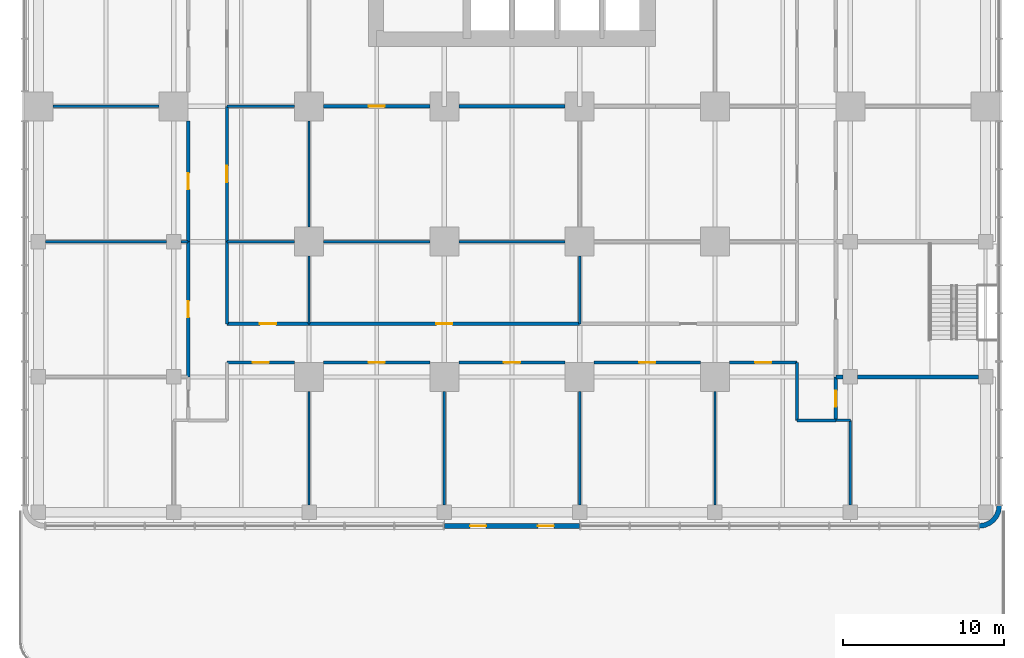
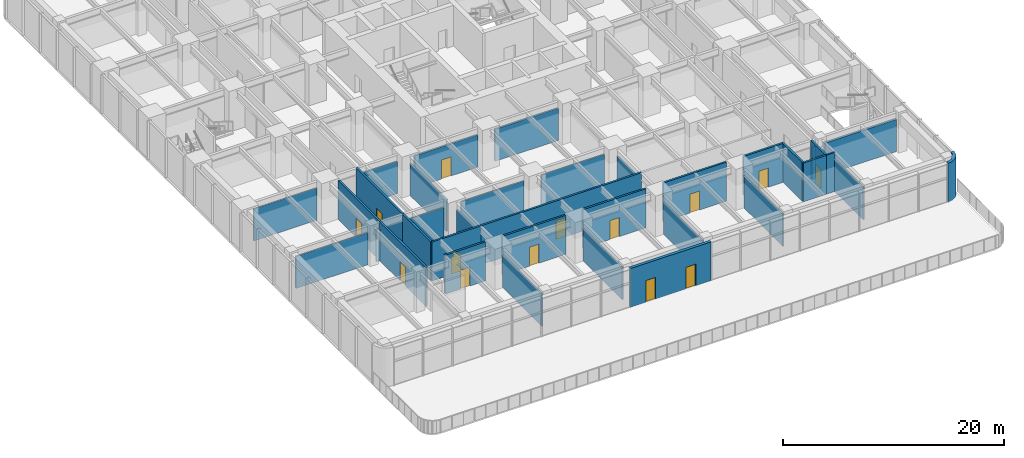
# One storey, part 11 of 20: 36 walls, 14 doors, 14 openings.
"""IFC4 building model written with IfcOpenShell, lengths in metres."""

from ifc_helpers import new_model, si_unit, direction, frame, frame_2d, origin, place, context, subcontext, project, spatial, polyline, rectangle, outline, extrude, material, layer, layer_set, type_object, element, fill, save


model = new_model("IFC4")

# Units and contexts
model_context = context("Model", 3, precision=1e-05, world=origin(), true_north=direction((0.0, 1.0)))
body_context = subcontext(model_context, "Body", "Model", "MODEL_VIEW")
ifc_project = project(units=[si_unit("LENGTHUNIT", "METRE"), si_unit("AREAUNIT", "SQUARE_METRE"), si_unit("VOLUMEUNIT", "CUBIC_METRE"), si_unit("PLANEANGLEUNIT", "RADIAN"), si_unit("MASSUNIT", "GRAM", prefix="KILO")], contexts=[model_context])

# Site, building, storey
site_placement = place(None, origin())
site = spatial("IfcSite", under=ifc_project, at=site_placement, CompositionType="ELEMENT")
building_placement = place(site_placement, origin())
building = spatial("IfcBuilding", under=site, at=building_placement, Name="Torre Alcanfor", CompositionType="ELEMENT")
storey_placement = place(building_placement, frame((0.0, 0.0, 10.5)))
storey = spatial("IfcBuildingStorey", under=building, at=storey_placement, Name="L02", CompositionType="ELEMENT", Elevation=10.5)

# Walls
ifc_material_1 = material(Name="Concrete block masonry, hollow blocks NMX-C-404 9 MPa", Category="masonry")
ifc_layer_1 = layer(ifc_material_1, 0.14990234375)
ifc_layer_set_1 = layer_set([ifc_layer_1], Name="Classroom partition 150")
wall_type_1 = type_object("IfcWallType", Name="Classroom partition 150", PredefinedType="PARTITIONING", material=ifc_layer_set_1)
wall_1_placement = place(storey_placement, frame((16.800048828125, -0.89990234375, 0.0), z_axis=(0.0, 0.0, 1.0), x_axis=(0.0, -1.0, 0.0)))
element("IfcWall", 1, at=wall_1_placement, inside=storey, type_object=wall_type_1, Name="Partition L02-01 / L02-05", PredefinedType="PARTITIONING", context=body_context, shape_type="SweptSolid", body=[
    extrude(rectangle(XDim=7.050048828125, YDim=0.14990234375, at=frame_2d((3.52490234375, 0.0))), origin(), (0.0, 0.0, 1.0), 3.543212890625),
])
wall_2_placement = place(storey_placement, frame((49.5, -2.699951171875, 0.0), z_axis=(0.0, 0.0, 1.0), x_axis=(1.0, 0.0, 0.0)))
element("IfcWall", 2, at=wall_2_placement, inside=storey, type_object=wall_type_1, Name="Partition L02-02 / L02-04", PredefinedType="PARTITIONING", context=body_context, shape_type="SweptSolid", body=[
    extrude(rectangle(XDim=0.89990234375, YDim=0.14990234375, at=frame_2d((0.449951171875, 0.0))), origin(), (0.0, 0.0, 1.0), 4.300048828125),
])
wall_3_placement = place(storey_placement, frame((50.39990234375, -2.699951171875, 0.0), z_axis=(0.0, 0.0, 1.0), x_axis=(0.0, -1.0, 0.0)))
element("IfcWall", 3, at=wall_3_placement, inside=storey, type_object=wall_type_1, Name="Partition L02-02 / L02-04", PredefinedType="PARTITIONING", context=body_context, shape_type="SweptSolid", body=[
    extrude(rectangle(XDim=5.25, YDim=0.14990234375, at=frame_2d((2.625, 0.0))), origin(), (0.0, 0.0, 1.0), 3.543212890625),
])
for number, where, z_axis, x_axis, name in (
    (4, (42.0, -7.949951171875, 0.0), (0.0, 0.0, 1.0), (0.0, 1.0, 0.0), "Partition L02-02 / L02-07"),
    (5, (25.199951171875, -0.89990234375, 0.0), (0.0, 0.0, 1.0), (0.0, -1.0, 0.0), "Partition L02-05 / L02-06"),
    (6, (33.60009765625, -0.89990234375, 0.0), (0.0, 0.0, 1.0), (0.0, -1.0, 0.0), "Partition L02-06 / L02-07"),
):
    element("IfcWall", number, at=place(storey_placement, frame(where, z_axis=z_axis, x_axis=x_axis)), inside=storey, type_object=wall_type_1, Name=name, PredefinedType="PARTITIONING", context=body_context, shape_type="SweptSolid", body=[
        extrude(rectangle(XDim=7.050048828125, YDim=0.14990234375, at=frame_2d((3.52490234375, 0.0))), origin(), (0.0, 0.0, 1.0), 3.543212890625),
    ])
wall_4_placement = place(storey_placement, frame((0.449951171875, 8.39990234375, 0.0), z_axis=(0.0, 0.0, 1.0), x_axis=(1.0, 0.0, 0.0)))
element("IfcWall", 7, at=wall_4_placement, inside=storey, type_object=wall_type_1, Name="Partition L02-08 / L02-10", PredefinedType="PARTITIONING", context=body_context, shape_type="SweptSolid", body=[
    extrude(rectangle(XDim=7.5, YDim=0.14990234375, at=frame_2d((3.75, 0.0))), origin(), (0.0, 0.0, 1.0), 3.543212890625),
])
wall_5_placement = place(storey_placement, frame((8.85009765625, 8.39990234375, 0.0), z_axis=(0.0, 0.0, 1.0), x_axis=(1.0, 0.0, 0.0)))
element("IfcWall", 8, at=wall_5_placement, inside=storey, type_object=wall_type_1, Name="Partition L02-08 / L02-10", PredefinedType="PARTITIONING", context=body_context, shape_type="SweptSolid", body=[
    extrude(rectangle(XDim=0.449951171875, YDim=0.14990234375, at=frame_2d((0.22509765625, 0.0))), origin(), (0.0, 0.0, 1.0), 3.543212890625),
])
wall_6_placement = place(storey_placement, frame((0.89990234375, 16.800048828125, 0.0), z_axis=(0.0, 0.0, 1.0), x_axis=(1.0, 0.0, 0.0)))
element("IfcWall", 9, at=wall_6_placement, inside=storey, type_object=wall_type_1, Name="Partition L02-10 / L02-12", PredefinedType="PARTITIONING", context=body_context, shape_type="SweptSolid", body=[
    extrude(rectangle(XDim=6.60009765625, YDim=0.14990234375, at=frame_2d((3.300048828125, 0.0))), origin(), (0.0, 0.0, 1.0), 3.543212890625),
])
for number, where, z_axis, x_axis, name in (
    (10, (16.800048828125, 7.5, 0.0), (0.0, 0.0, 1.0), (0.0, -1.0, 0.0), "Partition L02-I01 / L02-I02"),
    (11, (11.699951171875, 8.39990234375, 0.0), (0.0, 0.0, 1.0), (1.0, 0.0, 0.0), "Partition L02-I01 / L02-I04"),
    (12, (33.60009765625, 7.5, 0.0), (0.0, 0.0, 1.0), (0.0, -1.0, 0.0), "Partition L02-I02 / L02-I03"),
):
    element("IfcWall", number, at=place(storey_placement, frame(where, z_axis=z_axis, x_axis=x_axis)), inside=storey, type_object=wall_type_1, Name=name, PredefinedType="PARTITIONING", context=body_context, shape_type="SweptSolid", body=[
        extrude(rectangle(XDim=4.199951171875, YDim=0.14990234375, at=frame_2d((2.10009765625, 0.0))), origin(), (0.0, 0.0, 1.0), 3.543212890625),
    ])
wall_7_placement = place(storey_placement, frame((17.699951171875, 8.39990234375, 0.0), z_axis=(0.0, 0.0, 1.0), x_axis=(1.0, 0.0, 0.0)))
element("IfcWall", 13, at=wall_7_placement, inside=storey, type_object=wall_type_1, Name="Partition L02-I02 / L02-I05", PredefinedType="PARTITIONING", context=body_context, shape_type="SweptSolid", body=[
    extrude(rectangle(XDim=6.60009765625, YDim=0.14990234375, at=frame_2d((3.300048828125, 0.0))), origin(), (0.0, 0.0, 1.0), 3.543212890625),
])
for number, where, z_axis, x_axis, name in (
    (14, (26.10009765625, 8.39990234375, 0.0), (0.0, 0.0, 1.0), (1.0, 0.0, 0.0), "Partition L02-I02 / L02-I05"),
    (15, (16.800048828125, 15.89990234375, 0.0), (0.0, 0.0, 1.0), (0.0, -1.0, 0.0), "Partition L02-I04 / L02-I05"),
):
    element("IfcWall", number, at=place(storey_placement, frame(where, z_axis=z_axis, x_axis=x_axis)), inside=storey, type_object=wall_type_1, Name=name, PredefinedType="PARTITIONING", context=body_context, shape_type="SweptSolid", body=[
        extrude(rectangle(XDim=6.599853515625, YDim=0.14990234375, at=frame_2d((3.2998046875, 0.0))), origin(), (0.0, 0.0, 1.0), 3.543212890625),
    ])
wall_8_placement = place(storey_placement, frame((11.699951171875, 16.800048828125, 0.0), z_axis=(0.0, 0.0, 1.0), x_axis=(1.0, 0.0, 0.0)))
element("IfcWall", 16, at=wall_8_placement, inside=storey, type_object=wall_type_1, Name="Partition L02-I04 / L02-I07", PredefinedType="PARTITIONING", context=body_context, shape_type="SweptSolid", body=[
    extrude(rectangle(XDim=4.199951171875, YDim=0.14990234375, at=frame_2d((2.10009765625, 0.0))), origin(), (0.0, 0.0, 1.0), 3.543212890625),
])

# Wall, openings, doors
ifc_material_2 = material(Name="Limestone cladding", Category="masonry")
ifc_layer_2 = layer(ifc_material_2, 0.0400390625, Name="Facing")
ifc_material_3 = material(Name="Ventilated air cavity")
ifc_layer_3 = layer(ifc_material_3, 0.02001953125, ventilated=True, Name="Ventilated joint")
ifc_material_4 = material(Name="Mineral wool insulation", Category="insulation")
ifc_layer_4 = layer(ifc_material_4, 0.10009765625, Name="Insulation")
ifc_material_5 = material(Name="Concrete f'c 35 MPa", Category="concrete")
ifc_layer_5 = layer(ifc_material_5, 0.139892578125, Name="Backing")
ifc_layer_set_2 = layer_set([ifc_layer_2, ifc_layer_3, ifc_layer_4, ifc_layer_5], Name="External wall stone-clad 300")
wall_type_2 = type_object("IfcWallType", Name="External wall stone-clad 300", PredefinedType="SOLIDWALL", material=ifc_layer_set_2)
wall_9_placement = place(storey_placement, frame((25.199951171875, -9.25, 0.0), z_axis=(0.0, 0.0, 1.0), x_axis=(1.0, 0.0, 0.0)))
wall_9 = element("IfcWall", 17, at=wall_9_placement, inside=storey, type_object=wall_type_2, Name="External wall L02 4", PredefinedType="SOLIDWALL", context=body_context, shape_type="SweptSolid", body=[
    extrude(rectangle(XDim=8.400146484375, YDim=0.300048828125, at=frame_2d((4.2001953125, 0.0))), origin(), (0.0, 0.0, 1.0), 4.300048828125),
])
opening_1_placement = place(wall_9_placement, frame((1.60009765625, 0.0, 0.0)))
opening_1 = element("IfcOpeningElement", 18, at=opening_1_placement, cuts=wall_9, Name="Opening D-T1", PredefinedType="OPENING", context=body_context, shape_type="SweptSolid", body=[
    extrude(rectangle(XDim=1.0, YDim=2.39990234375, at=frame_2d((0.5, 1.199951171875))), frame((0.0, 0.159912109375, 0.0), z_axis=(0.0, -1.0, 0.0), x_axis=(1.0, 0.0, 0.0)), (0.0, 0.0, 1.0), 0.320068359375),
])
opening_2_placement = place(wall_9_placement, frame((5.800048828125, 0.0, 0.0)))
opening_2 = element("IfcOpeningElement", 19, at=opening_2_placement, cuts=wall_9, Name="Opening D-T1", PredefinedType="OPENING", context=body_context, shape_type="SweptSolid", body=[
    extrude(rectangle(XDim=1.0, YDim=2.39990234375, at=frame_2d((0.5, 1.199951171875))), frame((0.0, 0.159912109375, 0.0), z_axis=(0.0, -1.0, 0.0), x_axis=(1.0, 0.0, 0.0)), (0.0, 0.0, 1.0), 0.320068359375),
])
ifc_material_6 = material(Name="Aluminium and glass", Category="aluminium")
door_type_1 = type_object("IfcDoorType", Name="Play deck door glazed 1000x2400", OperationType="SINGLE_SWING_RIGHT", PredefinedType="DOOR", material=ifc_material_6)
door_1_placement = place(opening_1_placement, origin())
door_1 = element("IfcDoor", 20, at=door_1_placement, inside=storey, type_object=door_type_1, Name="Play deck door L02 4.1", OperationType="SINGLE_SWING_LEFT", OverallHeight=2.39990234375, OverallWidth=1.0, PredefinedType="DOOR", context=body_context, shape_type="SweptSolid", body=[
    extrude(rectangle(XDim=1.0, YDim=2.39990234375, at=frame_2d((0.5, 1.199951171875))), frame((0.0, 0.02490234375, 0.0), z_axis=(0.0, -1.0, 0.0), x_axis=(1.0, 0.0, 0.0)), (0.0, 0.0, 1.0), 0.050048828125),
])
fill(opening_1, door_1)
door_2_placement = place(opening_2_placement, origin())
door_2 = element("IfcDoor", 21, at=door_2_placement, inside=storey, type_object=door_type_1, Name="Play deck door L02 4.2", OperationType="SINGLE_SWING_RIGHT", OverallHeight=2.39990234375, OverallWidth=1.0, PredefinedType="DOOR", context=body_context, shape_type="SweptSolid", body=[
    extrude(rectangle(XDim=1.0, YDim=2.39990234375, at=frame_2d((0.5, 1.199951171875))), frame((0.0, 0.02490234375, 0.0), z_axis=(0.0, -1.0, 0.0), x_axis=(1.0, 0.0, 0.0)), (0.0, 0.0, 1.0), 0.050048828125),
])
fill(opening_2, door_2)

# Wall
ifc_layer_6 = layer(ifc_material_2, 0.0400390625, Name="Facing")
ifc_layer_7 = layer(ifc_material_3, 0.02001953125, ventilated=True, Name="Ventilated joint")
ifc_layer_8 = layer(ifc_material_4, 0.10009765625, Name="Insulation")
ifc_layer_9 = layer(ifc_material_5, 0.139892578125, Name="Backing")
ifc_layer_set_3 = layer_set([ifc_layer_6, ifc_layer_7, ifc_layer_8, ifc_layer_9], Name="Rounded corner pier stone-clad 300")
wall_type_3 = type_object("IfcWallType", Name="Rounded corner pier stone-clad 300", PredefinedType="SOLIDWALL", material=ifc_layer_set_3)
wall_10_placement = place(storey_placement, frame((58.355188981, -9.247901787, 0.0), z_axis=(0.0, 0.0, 1.0), x_axis=(0.707106781187, -0.707106781187, 0.0)))
element("IfcWall", 22, at=wall_10_placement, inside=storey, type_object=wall_type_3, Name="Corner pier L02 8", PredefinedType="SOLIDWALL", context=body_context, shape_type="SweptSolid", body=[
    extrude(outline(polyline([(0.1392703799237368, 1.9040700116087583), (-0.10086280675362824, 1.7198700761775947), (-0.08687949394207795, 1.7058867633660442), (0.09956467687859383, 1.4628188073331685), (0.2091869439814888, 1.198171664862715), (0.24647577814562305, 0.9140169378526912), (0.2093595774729894, 0.6300348443341681), (0.09973731037009442, 0.36538770186371466), (-0.08670686045057728, 0.12231974583083892), (-0.10069017326212766, 0.10833643301928854), (0.13909774643223624, -0.07586350241187509), (0.36162231697653796, 0.21398812981766918), (0.5016280785835424, 0.5518318726843864), (0.549274922237714, 0.9140169378526912), (0.5014554450920417, 1.2763746365124968), (0.361622316976538, 1.6140457458877133), (0.1392703799237368, 1.9040700116087583)])), origin(), (0.0, 0.0, 1.0), 4.300048828125),
])

# Wall, opening, door
ifc_material_7 = material(Name="Concrete block masonry, hollow blocks NMX-C-404 9 MPa", Category="masonry")
ifc_layer_10 = layer(ifc_material_7, 0.199951171875)
ifc_layer_set_4 = layer_set([ifc_layer_10], Name="School corridor wall 200")
wall_type_4 = type_object("IfcWallType", Name="School corridor wall 200", PredefinedType="PARTITIONING", material=ifc_layer_set_4)
wall_11_placement = place(storey_placement, frame((11.699951171875, 0.89990234375, 0.0), z_axis=(0.0, 0.0, 1.0), x_axis=(1.0, 0.0, 0.0)))
wall_11 = element("IfcWall", 23, at=wall_11_placement, inside=storey, type_object=wall_type_4, Name="Partition L02-01 / L02-CORR", PredefinedType="PARTITIONING", context=body_context, shape_type="SweptSolid", body=[
    extrude(rectangle(XDim=4.199951171875, YDim=0.199951171875, at=frame_2d((2.10009765625, 0.0))), origin(), (0.0, 0.0, 1.0), 4.300048828125),
])
opening_3_placement = place(wall_11_placement, frame((1.60009765625, 0.0, 0.0)))
opening_3 = element("IfcOpeningElement", 24, at=opening_3_placement, cuts=wall_11, Name="Opening D-C1", PredefinedType="OPENING", context=body_context, shape_type="SweptSolid", body=[
    extrude(rectangle(XDim=1.0, YDim=2.10009765625, at=frame_2d((0.5, 1.050048828125))), frame((0.0, 0.10986328125, 0.0), z_axis=(0.0, -1.0, 0.0), x_axis=(1.0, 0.0, 0.0)), (0.0, 0.0, 1.0), 0.219970703125),
])
ifc_material_8 = material(Name="Timber", Category="wood")
door_type_2 = type_object("IfcDoorType", Name="Classroom door 1000x2100", OperationType="SINGLE_SWING_RIGHT", PredefinedType="DOOR", material=ifc_material_8)
door_3_placement = place(opening_3_placement, frame((1.0, 0.0, 0.0), z_axis=(0.0, 0.0, 1.0), x_axis=(-1.0, 0.0, 0.0)))
door_3 = element("IfcDoor", 25, at=door_3_placement, inside=storey, type_object=door_type_2, Name="Door L02-01 classroom", OperationType="SINGLE_SWING_RIGHT", OverallHeight=2.10009765625, OverallWidth=1.0, PredefinedType="DOOR", context=body_context, shape_type="SweptSolid", body=[
    extrude(rectangle(XDim=1.0, YDim=2.10009765625, at=frame_2d((0.5, 1.050048828125))), frame((0.0, 0.025146484375, 0.0), z_axis=(0.0, -1.0, 0.0), x_axis=(1.0, 0.0, 0.0)), (0.0, 0.0, 1.0), 0.050048828125),
])
fill(opening_3, door_3)

wall_12_placement = place(storey_placement, frame((42.89990234375, 0.89990234375, 0.0), z_axis=(0.0, 0.0, 1.0), x_axis=(1.0, 0.0, 0.0)))
wall_12 = element("IfcWall", 26, at=wall_12_placement, inside=storey, type_object=wall_type_4, Name="Partition L02-02 / L02-CORR", PredefinedType="PARTITIONING", context=body_context, shape_type="SweptSolid", body=[
    extrude(rectangle(XDim=4.2001953125, YDim=0.199951171875, at=frame_2d((2.10009765625, 0.0))), origin(), (0.0, 0.0, 1.0), 4.300048828125),
])
opening_4_placement = place(wall_12_placement, frame((1.60009765625, 0.0, 0.0)))
opening_4 = element("IfcOpeningElement", 27, at=opening_4_placement, cuts=wall_12, Name="Opening D-C1", PredefinedType="OPENING", context=body_context, shape_type="SweptSolid", body=[
    extrude(rectangle(XDim=1.0, YDim=2.10009765625, at=frame_2d((0.5, 1.050048828125))), frame((0.0, 0.10986328125, 0.0), z_axis=(0.0, -1.0, 0.0), x_axis=(1.0, 0.0, 0.0)), (0.0, 0.0, 1.0), 0.219970703125),
])
door_4_placement = place(opening_4_placement, frame((1.0, 0.0, 0.0), z_axis=(0.0, 0.0, 1.0), x_axis=(-1.0, 0.0, 0.0)))
door_4 = element("IfcDoor", 28, at=door_4_placement, inside=storey, type_object=door_type_2, Name="Door L02-02 classroom", OperationType="SINGLE_SWING_RIGHT", OverallHeight=2.10009765625, OverallWidth=1.0, PredefinedType="DOOR", context=body_context, shape_type="SweptSolid", body=[
    extrude(rectangle(XDim=1.0, YDim=2.10009765625, at=frame_2d((0.5, 1.050048828125))), frame((0.0, 0.025146484375, 0.0), z_axis=(0.0, -1.0, 0.0), x_axis=(1.0, 0.0, 0.0)), (0.0, 0.0, 1.0), 0.050048828125),
])
fill(opening_4, door_4)

# Walls
wall_13_placement = place(storey_placement, frame((47.10009765625, 0.89990234375, 0.0), z_axis=(0.0, 0.0, 1.0), x_axis=(0.0, -1.0, 0.0)))
element("IfcWall", 29, at=wall_13_placement, inside=storey, type_object=wall_type_4, Name="Partition L02-02 / L02-CORR", PredefinedType="PARTITIONING", context=body_context, shape_type="SweptSolid", body=[
    extrude(rectangle(XDim=3.599853515625, YDim=0.199951171875, at=frame_2d((1.7998046875, 0.0))), origin(), (0.0, 0.0, 1.0), 4.300048828125),
])
wall_14_placement = place(storey_placement, frame((47.10009765625, -2.699951171875, 0.0), z_axis=(0.0, 0.0, 1.0), x_axis=(1.0, 0.0, 0.0)))
element("IfcWall", 30, at=wall_14_placement, inside=storey, type_object=wall_type_4, Name="Partition L02-02 / L02-CORR", PredefinedType="PARTITIONING", context=body_context, shape_type="SweptSolid", body=[
    extrude(rectangle(XDim=2.39990234375, YDim=0.199951171875, at=frame_2d((1.199951171875, 0.0))), origin(), (0.0, 0.0, 1.0), 4.300048828125),
])

# Wall, opening, door
wall_15_placement = place(storey_placement, frame((49.5, -2.699951171875, 0.0), z_axis=(0.0, 0.0, 1.0), x_axis=(0.0, 1.0, 0.0)))
wall_15 = element("IfcWall", 31, at=wall_15_placement, inside=storey, type_object=wall_type_4, Name="Partition L02-04 / L02-CORR", PredefinedType="PARTITIONING", context=body_context, shape_type="SweptSolid", body=[
    extrude(rectangle(XDim=2.699951171875, YDim=0.199951171875, at=frame_2d((1.35009765625, 0.0))), origin(), (0.0, 0.0, 1.0), 4.300048828125),
])
opening_5_placement = place(wall_15_placement, frame((0.85009765625, 0.0, 0.0)))
opening_5 = element("IfcOpeningElement", 32, at=opening_5_placement, cuts=wall_15, Name="Opening D-C1", PredefinedType="OPENING", context=body_context, shape_type="SweptSolid", body=[
    extrude(rectangle(XDim=1.0, YDim=2.10009765625, at=frame_2d((0.5, 1.050048828125))), frame((0.0, 0.10986328125, 0.0), z_axis=(0.0, -1.0, 0.0), x_axis=(1.0, 0.0, 0.0)), (0.0, 0.0, 1.0), 0.219970703125),
])
door_5_placement = place(opening_5_placement, frame((1.0, 0.0, 0.0), z_axis=(0.0, 0.0, 1.0), x_axis=(-1.0, 0.0, 0.0)))
door_5 = element("IfcDoor", 33, at=door_5_placement, inside=storey, type_object=door_type_2, Name="Door L02-04 classroom", OperationType="SINGLE_SWING_RIGHT", OverallHeight=2.10009765625, OverallWidth=1.0, PredefinedType="DOOR", context=body_context, shape_type="SweptSolid", body=[
    extrude(rectangle(XDim=1.0, YDim=2.10009765625, at=frame_2d((0.5, 1.050048828125))), frame((0.0, 0.025146484375, 0.0), z_axis=(0.0, -1.0, 0.0), x_axis=(1.0, 0.0, 0.0)), (0.0, 0.0, 1.0), 0.050048828125),
])
fill(opening_5, door_5)

wall_16_placement = place(storey_placement, frame((17.699951171875, 0.89990234375, 0.0), z_axis=(0.0, 0.0, 1.0), x_axis=(1.0, 0.0, 0.0)))
wall_16 = element("IfcWall", 34, at=wall_16_placement, inside=storey, type_object=wall_type_4, Name="Partition L02-05 / L02-CORR", PredefinedType="PARTITIONING", context=body_context, shape_type="SweptSolid", body=[
    extrude(rectangle(XDim=6.60009765625, YDim=0.199951171875, at=frame_2d((3.300048828125, 0.0))), origin(), (0.0, 0.0, 1.0), 4.300048828125),
])
opening_6_placement = place(wall_16_placement, frame((2.800048828125, 0.0, 0.0)))
opening_6 = element("IfcOpeningElement", 35, at=opening_6_placement, cuts=wall_16, Name="Opening D-C1", PredefinedType="OPENING", context=body_context, shape_type="SweptSolid", body=[
    extrude(rectangle(XDim=1.0, YDim=2.10009765625, at=frame_2d((0.5, 1.050048828125))), frame((0.0, 0.10986328125, 0.0), z_axis=(0.0, -1.0, 0.0), x_axis=(1.0, 0.0, 0.0)), (0.0, 0.0, 1.0), 0.219970703125),
])
door_6_placement = place(opening_6_placement, frame((1.0, 0.0, 0.0), z_axis=(0.0, 0.0, 1.0), x_axis=(-1.0, 0.0, 0.0)))
door_6 = element("IfcDoor", 36, at=door_6_placement, inside=storey, type_object=door_type_2, Name="Door L02-05 classroom", OperationType="SINGLE_SWING_RIGHT", OverallHeight=2.10009765625, OverallWidth=1.0, PredefinedType="DOOR", context=body_context, shape_type="SweptSolid", body=[
    extrude(rectangle(XDim=1.0, YDim=2.10009765625, at=frame_2d((0.5, 1.050048828125))), frame((0.0, 0.025146484375, 0.0), z_axis=(0.0, -1.0, 0.0), x_axis=(1.0, 0.0, 0.0)), (0.0, 0.0, 1.0), 0.050048828125),
])
fill(opening_6, door_6)

wall_17_placement = place(storey_placement, frame((26.10009765625, 0.89990234375, 0.0), z_axis=(0.0, 0.0, 1.0), x_axis=(1.0, 0.0, 0.0)))
wall_17 = element("IfcWall", 37, at=wall_17_placement, inside=storey, type_object=wall_type_4, Name="Partition L02-06 / L02-CORR", PredefinedType="PARTITIONING", context=body_context, shape_type="SweptSolid", body=[
    extrude(rectangle(XDim=6.599853515625, YDim=0.199951171875, at=frame_2d((3.2998046875, 0.0))), origin(), (0.0, 0.0, 1.0), 4.300048828125),
])
opening_7_placement = place(wall_17_placement, frame((2.800048828125, 0.0, 0.0)))
opening_7 = element("IfcOpeningElement", 38, at=opening_7_placement, cuts=wall_17, Name="Opening D-C1", PredefinedType="OPENING", context=body_context, shape_type="SweptSolid", body=[
    extrude(rectangle(XDim=1.0, YDim=2.10009765625, at=frame_2d((0.5, 1.050048828125))), frame((0.0, 0.10986328125, 0.0), z_axis=(0.0, -1.0, 0.0), x_axis=(1.0, 0.0, 0.0)), (0.0, 0.0, 1.0), 0.219970703125),
])
door_7_placement = place(opening_7_placement, frame((1.0, 0.0, 0.0), z_axis=(0.0, 0.0, 1.0), x_axis=(-1.0, 0.0, 0.0)))
door_7 = element("IfcDoor", 39, at=door_7_placement, inside=storey, type_object=door_type_2, Name="Door L02-06 classroom", OperationType="SINGLE_SWING_RIGHT", OverallHeight=2.10009765625, OverallWidth=1.0, PredefinedType="DOOR", context=body_context, shape_type="SweptSolid", body=[
    extrude(rectangle(XDim=1.0, YDim=2.10009765625, at=frame_2d((0.5, 1.050048828125))), frame((0.0, 0.025146484375, 0.0), z_axis=(0.0, -1.0, 0.0), x_axis=(1.0, 0.0, 0.0)), (0.0, 0.0, 1.0), 0.050048828125),
])
fill(opening_7, door_7)

wall_18_placement = place(storey_placement, frame((34.5, 0.89990234375, 0.0), z_axis=(0.0, 0.0, 1.0), x_axis=(1.0, 0.0, 0.0)))
wall_18 = element("IfcWall", 40, at=wall_18_placement, inside=storey, type_object=wall_type_4, Name="Partition L02-07 / L02-CORR", PredefinedType="PARTITIONING", context=body_context, shape_type="SweptSolid", body=[
    extrude(rectangle(XDim=6.60009765625, YDim=0.199951171875, at=frame_2d((3.300048828125, 0.0))), origin(), (0.0, 0.0, 1.0), 4.300048828125),
])
opening_8_placement = place(wall_18_placement, frame((2.800048828125, 0.0, 0.0)))
opening_8 = element("IfcOpeningElement", 41, at=opening_8_placement, cuts=wall_18, Name="Opening D-C1", PredefinedType="OPENING", context=body_context, shape_type="SweptSolid", body=[
    extrude(rectangle(XDim=1.0, YDim=2.10009765625, at=frame_2d((0.5, 1.050048828125))), frame((0.0, 0.10986328125, 0.0), z_axis=(0.0, -1.0, 0.0), x_axis=(1.0, 0.0, 0.0)), (0.0, 0.0, 1.0), 0.219970703125),
])
door_8_placement = place(opening_8_placement, frame((1.0, 0.0, 0.0), z_axis=(0.0, 0.0, 1.0), x_axis=(-1.0, 0.0, 0.0)))
door_8 = element("IfcDoor", 42, at=door_8_placement, inside=storey, type_object=door_type_2, Name="Door L02-07 classroom", OperationType="SINGLE_SWING_RIGHT", OverallHeight=2.10009765625, OverallWidth=1.0, PredefinedType="DOOR", context=body_context, shape_type="SweptSolid", body=[
    extrude(rectangle(XDim=1.0, YDim=2.10009765625, at=frame_2d((0.5, 1.050048828125))), frame((0.0, 0.025146484375, 0.0), z_axis=(0.0, -1.0, 0.0), x_axis=(1.0, 0.0, 0.0)), (0.0, 0.0, 1.0), 0.050048828125),
])
fill(opening_8, door_8)

wall_19_placement = place(storey_placement, frame((9.300048828125, 8.39990234375, 0.0), z_axis=(0.0, 0.0, 1.0), x_axis=(0.0, -1.0, 0.0)))
wall_19 = element("IfcWall", 43, at=wall_19_placement, inside=storey, type_object=wall_type_4, Name="Partition L02-08 / L02-CORR", PredefinedType="PARTITIONING", context=body_context, shape_type="SweptSolid", body=[
    extrude(rectangle(XDim=8.39990234375, YDim=0.199951171875, at=frame_2d((4.199951171875, 0.0))), origin(), (0.0, 0.0, 1.0), 4.300048828125),
])
opening_9_placement = place(wall_19_placement, frame((3.699951171875, 0.0, 0.0)))
opening_9 = element("IfcOpeningElement", 44, at=opening_9_placement, cuts=wall_19, Name="Opening D-C1", PredefinedType="OPENING", context=body_context, shape_type="SweptSolid", body=[
    extrude(rectangle(XDim=1.0, YDim=2.10009765625, at=frame_2d((0.5, 1.050048828125))), frame((0.0, 0.10986328125, 0.0), z_axis=(0.0, -1.0, 0.0), x_axis=(1.0, 0.0, 0.0)), (0.0, 0.0, 1.0), 0.219970703125),
])
door_9_placement = place(opening_9_placement, frame((1.0, 0.0, 0.0), z_axis=(0.0, 0.0, 1.0), x_axis=(-1.0, 0.0, 0.0)))
door_9 = element("IfcDoor", 45, at=door_9_placement, inside=storey, type_object=door_type_2, Name="Door L02-08 classroom", OperationType="SINGLE_SWING_RIGHT", OverallHeight=2.10009765625, OverallWidth=1.0, PredefinedType="DOOR", context=body_context, shape_type="SweptSolid", body=[
    extrude(rectangle(XDim=1.0, YDim=2.10009765625, at=frame_2d((0.5, 1.050048828125))), frame((0.0, 0.025146484375, 0.0), z_axis=(0.0, -1.0, 0.0), x_axis=(1.0, 0.0, 0.0)), (0.0, 0.0, 1.0), 0.050048828125),
])
fill(opening_9, door_9)

wall_20_placement = place(storey_placement, frame((9.300048828125, 15.89990234375, 0.0), z_axis=(0.0, 0.0, 1.0), x_axis=(0.0, -1.0, 0.0)))
wall_20 = element("IfcWall", 46, at=wall_20_placement, inside=storey, type_object=wall_type_4, Name="Partition L02-10 / L02-CORR", PredefinedType="PARTITIONING", context=body_context, shape_type="SweptSolid", body=[
    extrude(rectangle(XDim=7.5, YDim=0.199951171875, at=frame_2d((3.75, 0.0))), origin(), (0.0, 0.0, 1.0), 4.300048828125),
])
opening_10_placement = place(wall_20_placement, frame((3.25, 0.0, 0.0)))
opening_10 = element("IfcOpeningElement", 47, at=opening_10_placement, cuts=wall_20, Name="Opening D-C1", PredefinedType="OPENING", context=body_context, shape_type="SweptSolid", body=[
    extrude(rectangle(XDim=1.0, YDim=2.10009765625, at=frame_2d((0.5, 1.050048828125))), frame((0.0, 0.10986328125, 0.0), z_axis=(0.0, -1.0, 0.0), x_axis=(1.0, 0.0, 0.0)), (0.0, 0.0, 1.0), 0.219970703125),
])
door_10_placement = place(opening_10_placement, frame((1.0, 0.0, 0.0), z_axis=(0.0, 0.0, 1.0), x_axis=(-1.0, 0.0, 0.0)))
door_10 = element("IfcDoor", 48, at=door_10_placement, inside=storey, type_object=door_type_2, Name="Door L02-10 classroom", OperationType="SINGLE_SWING_RIGHT", OverallHeight=2.10009765625, OverallWidth=1.0, PredefinedType="DOOR", context=body_context, shape_type="SweptSolid", body=[
    extrude(rectangle(XDim=1.0, YDim=2.10009765625, at=frame_2d((0.5, 1.050048828125))), frame((0.0, 0.025146484375, 0.0), z_axis=(0.0, -1.0, 0.0), x_axis=(1.0, 0.0, 0.0)), (0.0, 0.0, 1.0), 0.050048828125),
])
fill(opening_10, door_10)

# Wall
wall_21_placement = place(storey_placement, frame((11.699951171875, 8.39990234375, 0.0), z_axis=(0.0, 0.0, 1.0), x_axis=(0.0, -1.0, 0.0)))
element("IfcWall", 49, at=wall_21_placement, inside=storey, type_object=wall_type_4, Name="Partition L02-CORR / L02-I01", PredefinedType="PARTITIONING", context=body_context, shape_type="SweptSolid", body=[
    extrude(rectangle(XDim=5.099853515625, YDim=0.199951171875, at=frame_2d((2.5498046875, 0.0))), origin(), (0.0, 0.0, 1.0), 4.300048828125),
])

# Wall, opening, door
wall_22_placement = place(storey_placement, frame((11.699951171875, 3.300048828125, 0.0), z_axis=(0.0, 0.0, 1.0), x_axis=(1.0, 0.0, 0.0)))
wall_22 = element("IfcWall", 50, at=wall_22_placement, inside=storey, type_object=wall_type_4, Name="Partition L02-CORR / L02-I01", PredefinedType="PARTITIONING", context=body_context, shape_type="SweptSolid", body=[
    extrude(rectangle(XDim=5.10009765625, YDim=0.199951171875, at=frame_2d((2.550048828125, 0.0))), origin(), (0.0, 0.0, 1.0), 4.300048828125),
])
opening_11_placement = place(wall_22_placement, frame((2.050048828125, 0.0, 0.0)))
opening_11 = element("IfcOpeningElement", 51, at=opening_11_placement, cuts=wall_22, Name="Opening D-C1", PredefinedType="OPENING", context=body_context, shape_type="SweptSolid", body=[
    extrude(rectangle(XDim=1.0, YDim=2.10009765625, at=frame_2d((0.5, 1.050048828125))), frame((0.0, 0.10986328125, 0.0), z_axis=(0.0, -1.0, 0.0), x_axis=(1.0, 0.0, 0.0)), (0.0, 0.0, 1.0), 0.219970703125),
])
door_11_placement = place(opening_11_placement, origin())
door_11 = element("IfcDoor", 52, at=door_11_placement, inside=storey, type_object=door_type_2, Name="Door L02-I01 store", OperationType="SINGLE_SWING_LEFT", OverallHeight=2.10009765625, OverallWidth=1.0, PredefinedType="DOOR", context=body_context, shape_type="SweptSolid", body=[
    extrude(rectangle(XDim=1.0, YDim=2.10009765625, at=frame_2d((0.5, 1.050048828125))), frame((0.0, 0.02490234375, 0.0), z_axis=(0.0, -1.0, 0.0), x_axis=(1.0, 0.0, 0.0)), (0.0, 0.0, 1.0), 0.050048828125),
])
fill(opening_11, door_11)

wall_23_placement = place(storey_placement, frame((16.800048828125, 3.300048828125, 0.0), z_axis=(0.0, 0.0, 1.0), x_axis=(1.0, 0.0, 0.0)))
wall_23 = element("IfcWall", 53, at=wall_23_placement, inside=storey, type_object=wall_type_4, Name="Partition L02-CORR / L02-I02", PredefinedType="PARTITIONING", context=body_context, shape_type="SweptSolid", body=[
    extrude(rectangle(XDim=16.800048828125, YDim=0.199951171875, at=frame_2d((8.39990234375, 0.0))), origin(), (0.0, 0.0, 1.0), 4.300048828125),
])
opening_12_placement = place(wall_23_placement, frame((7.89990234375, 0.0, 0.0)))
opening_12 = element("IfcOpeningElement", 54, at=opening_12_placement, cuts=wall_23, Name="Opening D-C1", PredefinedType="OPENING", context=body_context, shape_type="SweptSolid", body=[
    extrude(rectangle(XDim=1.0, YDim=2.10009765625, at=frame_2d((0.5, 1.050048828125))), frame((0.0, 0.10986328125, 0.0), z_axis=(0.0, -1.0, 0.0), x_axis=(1.0, 0.0, 0.0)), (0.0, 0.0, 1.0), 0.219970703125),
])
door_12_placement = place(opening_12_placement, origin())
door_12 = element("IfcDoor", 55, at=door_12_placement, inside=storey, type_object=door_type_2, Name="Door L02-I02 computer room", OperationType="SINGLE_SWING_LEFT", OverallHeight=2.10009765625, OverallWidth=1.0, PredefinedType="DOOR", context=body_context, shape_type="SweptSolid", body=[
    extrude(rectangle(XDim=1.0, YDim=2.10009765625, at=frame_2d((0.5, 1.050048828125))), frame((0.0, 0.02490234375, 0.0), z_axis=(0.0, -1.0, 0.0), x_axis=(1.0, 0.0, 0.0)), (0.0, 0.0, 1.0), 0.050048828125),
])
fill(opening_12, door_12)

wall_24_placement = place(storey_placement, frame((11.699951171875, 16.800048828125, 0.0), z_axis=(0.0, 0.0, 1.0), x_axis=(0.0, -1.0, 0.0)))
wall_24 = element("IfcWall", 56, at=wall_24_placement, inside=storey, type_object=wall_type_4, Name="Partition L02-CORR / L02-I04", PredefinedType="PARTITIONING", context=body_context, shape_type="SweptSolid", body=[
    extrude(rectangle(XDim=8.400146484375, YDim=0.199951171875, at=frame_2d((4.2001953125, 0.0))), origin(), (0.0, 0.0, 1.0), 4.300048828125),
])
opening_13_placement = place(wall_24_placement, frame((3.699951171875, 0.0, 0.0)))
opening_13 = element("IfcOpeningElement", 57, at=opening_13_placement, cuts=wall_24, Name="Opening D-C1", PredefinedType="OPENING", context=body_context, shape_type="SweptSolid", body=[
    extrude(rectangle(XDim=1.0, YDim=2.10009765625, at=frame_2d((0.5, 1.050048828125))), frame((0.0, 0.10986328125, 0.0), z_axis=(0.0, -1.0, 0.0), x_axis=(1.0, 0.0, 0.0)), (0.0, 0.0, 1.0), 0.219970703125),
])
door_13_placement = place(opening_13_placement, origin())
door_13 = element("IfcDoor", 58, at=door_13_placement, inside=storey, type_object=door_type_2, Name="Door L02-I04 preparation room", OperationType="SINGLE_SWING_LEFT", OverallHeight=2.10009765625, OverallWidth=1.0, PredefinedType="DOOR", context=body_context, shape_type="SweptSolid", body=[
    extrude(rectangle(XDim=1.0, YDim=2.10009765625, at=frame_2d((0.5, 1.050048828125))), frame((0.0, 0.02490234375, 0.0), z_axis=(0.0, -1.0, 0.0), x_axis=(1.0, 0.0, 0.0)), (0.0, 0.0, 1.0), 0.050048828125),
])
fill(opening_13, door_13)

wall_25_placement = place(storey_placement, frame((24.300048828125, 16.800048828125, 0.0), z_axis=(0.0, 0.0, 1.0), x_axis=(-1.0, 0.0, 0.0)))
wall_25 = element("IfcWall", 59, at=wall_25_placement, inside=storey, type_object=wall_type_4, Name="Partition L02-LLW / L02-I05", PredefinedType="PARTITIONING", context=body_context, shape_type="SweptSolid", body=[
    extrude(rectangle(XDim=6.60009765625, YDim=0.199951171875, at=frame_2d((3.300048828125, 0.0))), origin(), (0.0, 0.0, 1.0), 3.543212890625),
])
opening_14_placement = place(wall_25_placement, frame((2.800048828125, 0.0, 0.0)))
opening_14 = element("IfcOpeningElement", 60, at=opening_14_placement, cuts=wall_25, Name="Opening D-C1", PredefinedType="OPENING", context=body_context, shape_type="SweptSolid", body=[
    extrude(rectangle(XDim=1.0, YDim=2.10009765625, at=frame_2d((0.5, 1.050048828125))), frame((0.0, 0.10986328125, 0.0), z_axis=(0.0, -1.0, 0.0), x_axis=(1.0, 0.0, 0.0)), (0.0, 0.0, 1.0), 0.219970703125),
])
door_14_placement = place(opening_14_placement, origin())
door_14 = element("IfcDoor", 61, at=door_14_placement, inside=storey, type_object=door_type_2, Name="Door L02-I05 science laboratory", OperationType="SINGLE_SWING_LEFT", OverallHeight=2.10009765625, OverallWidth=1.0, PredefinedType="DOOR", context=body_context, shape_type="SweptSolid", body=[
    extrude(rectangle(XDim=1.0, YDim=2.10009765625, at=frame_2d((0.5, 1.050048828125))), frame((0.0, 0.02490234375, 0.0), z_axis=(0.0, -1.0, 0.0), x_axis=(1.0, 0.0, 0.0)), (0.0, 0.0, 1.0), 0.050048828125),
])
fill(opening_14, door_14)

# Walls
wall_26_placement = place(storey_placement, frame((32.699951171875, 16.800048828125, 0.0), z_axis=(0.0, 0.0, 1.0), x_axis=(-1.0, 0.0, 0.0)))
element("IfcWall", 62, at=wall_26_placement, inside=storey, type_object=wall_type_4, Name="Partition L02-LLW / L02-I05", PredefinedType="PARTITIONING", context=body_context, shape_type="SweptSolid", body=[
    extrude(rectangle(XDim=6.599853515625, YDim=0.199951171875, at=frame_2d((3.2998046875, 0.0))), origin(), (0.0, 0.0, 1.0), 3.543212890625),
])
ifc_material_9 = material(Name="Reinforced concrete block masonry, hollow blocks NMX-C-404 9 MPa", Category="masonry")
ifc_layer_11 = layer(ifc_material_9, 0.25)
ifc_layer_set_5 = layer_set([ifc_layer_11], Name="Stair enclosure wall 250 EI 120")
wall_type_5 = type_object("IfcWallType", Name="Stair enclosure wall 250 EI 120", PredefinedType="SOLIDWALL", material=ifc_layer_set_5)
wall_27_placement = place(storey_placement, frame((49.949951171875, 0.0, 0.0), z_axis=(0.0, 0.0, 1.0), x_axis=(-1.0, 0.0, 0.0)))
element("IfcWall", 63, at=wall_27_placement, inside=storey, type_object=wall_type_5, Name="Partition L02-SS3 / L02-04", PredefinedType="SOLIDWALL", context=body_context, shape_type="SweptSolid", body=[
    extrude(rectangle(XDim=0.449951171875, YDim=0.25, at=frame_2d((0.22509765625, 0.0))), origin(), (0.0, 0.0, 1.0), 3.543212890625),
])
wall_28_placement = place(storey_placement, frame((58.35009765625, 0.0, 0.0), z_axis=(0.0, 0.0, 1.0), x_axis=(-1.0, 0.0, 0.0)))
element("IfcWall", 64, at=wall_28_placement, inside=storey, type_object=wall_type_5, Name="Partition L02-SS3 / L02-04", PredefinedType="SOLIDWALL", context=body_context, shape_type="SweptSolid", body=[
    extrude(rectangle(XDim=7.5, YDim=0.25, at=frame_2d((3.75, 0.0))), origin(), (0.0, 0.0, 1.0), 3.543212890625),
])

save(model, "model.ifc")
